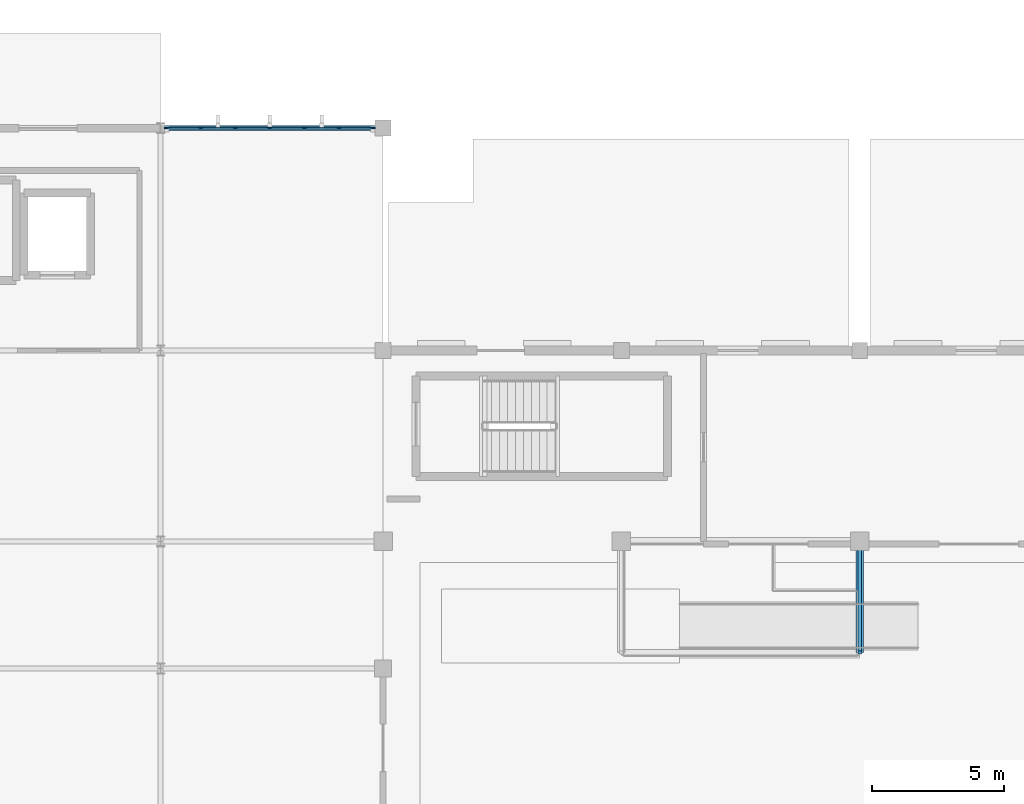
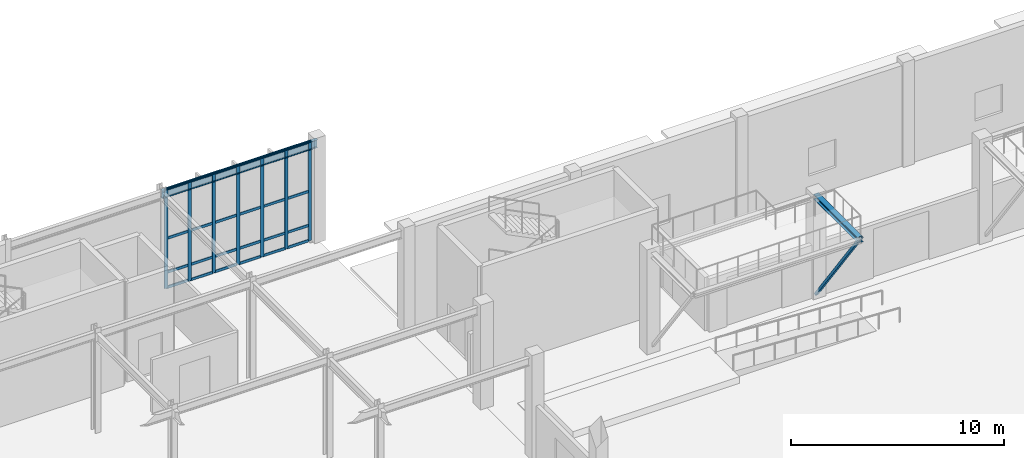
# One storey, part 47 of 110: 32 members, 2 beams, 1 element without a shape of its own.
"""IFC4 building model written with IfcOpenShell, lengths in metres."""

from ifc_helpers import new_model, si_unit, direction, frame, origin, origin_2d, place, context, subcontext, project, spatial, rectangle, hollow_rectangle, i_section, extrude, material, material_profile, profile_set, type_object, element, aggregate, save


model = new_model("IFC4")

# Units and contexts
model_context = context("Model", 3, precision=1e-05, world=origin(), true_north=direction((0.0, 1.0)))
body_context = subcontext(model_context, "Body", "Model", "MODEL_VIEW")
ifc_project = project(units=[si_unit("LENGTHUNIT", "METRE"), si_unit("AREAUNIT", "SQUARE_METRE"), si_unit("VOLUMEUNIT", "CUBIC_METRE"), si_unit("PLANEANGLEUNIT", "RADIAN"), si_unit("MASSUNIT", "GRAM", prefix="KILO")], contexts=[model_context])

# Site, building, storey
site_placement = place(None, origin())
site = spatial("IfcSite", under=ifc_project, at=site_placement, CompositionType="ELEMENT")
building_placement = place(site_placement, origin())
building = spatial("IfcBuilding", under=site, at=building_placement, Name="Tizgana Railside Sports Hall", CompositionType="ELEMENT")
storey_placement = place(building_placement, origin())
storey = spatial("IfcBuildingStorey", under=building, at=storey_placement, Name="L00", CompositionType="ELEMENT", Elevation=0.0)

# Curtain wall, members
ifc_material_1 = material(Name="Anodised aluminium and glass", Category="aluminium")
curtain_wall_type = type_object("IfcCurtainWallType", Name="Unitised Curtain Wall WestHall 1560", PredefinedType="NOTDEFINED", material=ifc_material_1)
curtain_wall_placement = place(storey_placement, origin())
curtain_wall = element("IfcCurtainWall", 1, at=curtain_wall_placement, inside=storey, type_object=curtain_wall_type, Name="L00 Curtain Wall CW-0038", PredefinedType="NOTDEFINED")
ifc_material_2 = material(Name="Anodised aluminium", Category="aluminium")
ifc_material_profile_1 = material_profile(ifc_material_2, rectangle(XDim=0.06005859375, YDim=0.179931640625, at=origin_2d()), Name="Mullion 60x180")
ifc_profile_set_1 = profile_set([ifc_material_profile_1], Name="Anodised aluminium")
member_type_1 = type_object("IfcMemberType", Name="Mullion 60x180", PredefinedType="MULLION", material=ifc_profile_set_1)
member_1_placement = place(storey_placement, frame((71.635009765625, 88.800048828125, 0.044921875), z_axis=(0.0, 0.0, 1.0), x_axis=(0.0, 1.0, 0.0)))
member_1 = element("IfcMember", 2, at=member_1_placement, type_object=member_type_1, Name="CW-07 mullion 1", PredefinedType="MULLION", context=body_context, shape_type="SweptSolid", body=[
    extrude(rectangle(XDim=0.06005859375, YDim=0.179931640625, at=origin_2d()), origin(), (0.0, 0.0, 1.0), 5.68505859375),
])
member_2_placement = place(storey_placement, frame((72.91162109375, 88.800048828125, 0.044921875), z_axis=(0.0, 0.0, 1.0), x_axis=(0.0, 1.0, 0.0)))
member_2 = element("IfcMember", 3, at=member_2_placement, type_object=member_type_1, Name="CW-07 mullion 2", PredefinedType="MULLION", context=body_context, shape_type="SweptSolid", body=[
    extrude(rectangle(XDim=0.06005859375, YDim=0.179931640625, at=origin_2d()), origin(), (0.0, 0.0, 1.0), 5.68505859375),
])
member_3_placement = place(storey_placement, frame((74.21826171875, 88.800048828125, 0.044921875), z_axis=(0.0, 0.0, 1.0), x_axis=(0.0, 1.0, 0.0)))
member_3 = element("IfcMember", 4, at=member_3_placement, type_object=member_type_1, Name="CW-07 mullion 3", PredefinedType="MULLION", context=body_context, shape_type="SweptSolid", body=[
    extrude(rectangle(XDim=0.06005859375, YDim=0.179931640625, at=origin_2d()), origin(), (0.0, 0.0, 1.0), 5.68505859375),
])
member_4_placement = place(storey_placement, frame((75.52490234375, 88.800048828125, 0.044921875), z_axis=(0.0, 0.0, 1.0), x_axis=(0.0, 1.0, 0.0)))
member_4 = element("IfcMember", 5, at=member_4_placement, type_object=member_type_1, Name="CW-07 mullion 4", PredefinedType="MULLION", context=body_context, shape_type="SweptSolid", body=[
    extrude(rectangle(XDim=0.06005859375, YDim=0.179931640625, at=origin_2d()), origin(), (0.0, 0.0, 1.0), 5.68505859375),
])
member_5_placement = place(storey_placement, frame((76.831787109375, 88.800048828125, 0.044921875), z_axis=(0.0, 0.0, 1.0), x_axis=(0.0, 1.0, 0.0)))
member_5 = element("IfcMember", 6, at=member_5_placement, type_object=member_type_1, Name="CW-07 mullion 5", PredefinedType="MULLION", context=body_context, shape_type="SweptSolid", body=[
    extrude(rectangle(XDim=0.06005859375, YDim=0.179931640625, at=origin_2d()), origin(), (0.0, 0.0, 1.0), 5.68505859375),
])
member_6_placement = place(storey_placement, frame((78.138427734375, 88.800048828125, 0.044921875), z_axis=(0.0, 0.0, 1.0), x_axis=(0.0, 1.0, 0.0)))
member_6 = element("IfcMember", 7, at=member_6_placement, type_object=member_type_1, Name="CW-07 mullion 6", PredefinedType="MULLION", context=body_context, shape_type="SweptSolid", body=[
    extrude(rectangle(XDim=0.06005859375, YDim=0.179931640625, at=origin_2d()), origin(), (0.0, 0.0, 1.0), 5.68505859375),
])
member_7_placement = place(storey_placement, frame((79.4150390625, 88.800048828125, 0.044921875), z_axis=(0.0, 0.0, 1.0), x_axis=(0.0, 1.0, 0.0)))
member_7 = element("IfcMember", 8, at=member_7_placement, type_object=member_type_1, Name="CW-07 mullion 7", PredefinedType="MULLION", context=body_context, shape_type="SweptSolid", body=[
    extrude(rectangle(XDim=0.06005859375, YDim=0.179931640625, at=origin_2d()), origin(), (0.0, 0.0, 1.0), 5.68505859375),
])

# Beams
ifc_material_3 = material(Name="Steel S355J2", Category="steel")
ifc_material_profile_2 = material_profile(ifc_material_3, i_section(OverallWidth=0.280029296875, OverallDepth=0.280029296875, WebThickness=0.010498046875, FlangeThickness=0.01806640625, FilletRadius=0.02392578125, at=origin_2d()), Name="HEB 280")
ifc_profile_set_2 = profile_set([ifc_material_profile_2], Name="Steel S355J2")
beam_type_1 = type_object("IfcBeamType", Name="Steel Beam HEB 280", PredefinedType="BEAM", material=ifc_profile_set_2)
beam_1_placement = place(storey_placement, frame((97.800048828125, 73.199951171875, 5.6259765625), z_axis=(0.0, -1.0, 0.0), x_axis=(1.0, 0.0, 0.0)))
element("IfcBeam", 9, at=beam_1_placement, inside=storey, type_object=beam_type_1, Name="L00 BEM-1272", PredefinedType="BEAM", context=body_context, shape_type="SweptSolid", body=[
    extrude(i_section(OverallWidth=0.280029296875, OverallDepth=0.280029296875, WebThickness=0.010498046875, FlangeThickness=0.01806640625, FilletRadius=0.02392578125, at=origin_2d()), origin(), (0.0, 0.0, 1.0), 4.199951171875),
])
ifc_material_profile_3 = material_profile(ifc_material_3, i_section(OverallWidth=0.18994140625, OverallDepth=0.449951171875, WebThickness=0.009521484375, FlangeThickness=0.0146484375, FilletRadius=0.02099609375, at=origin_2d()), Name="IPE 450")
ifc_profile_set_3 = profile_set([ifc_material_profile_3], Name="Steel S355J2")
beam_type_2 = type_object("IfcBeamType", Name="Steel Beam IPE 450", PredefinedType="BEAM", material=ifc_profile_set_3)
beam_2_placement = place(storey_placement, frame((71.39990234375, 88.800048828125, 5.5009765625), z_axis=(1.0, 0.0, 0.0), x_axis=(0.0, 1.0, 0.0)))
element("IfcBeam", 10, at=beam_2_placement, inside=storey, type_object=beam_type_2, Name="L00 BEM-0951", PredefinedType="BEAM", context=body_context, shape_type="SweptSolid", body=[
    extrude(i_section(OverallWidth=0.18994140625, OverallDepth=0.449951171875, WebThickness=0.009521484375, FlangeThickness=0.0146484375, FilletRadius=0.02099609375, at=origin_2d()), origin(), (0.0, 0.0, 1.0), 8.400146484375),
])

# Member
ifc_material_profile_4 = material_profile(ifc_material_3, hollow_rectangle(XDim=0.139892578125, YDim=0.139892578125, WallThickness=0.008056640625, at=origin_2d()), Name="SHS 140x140x8")
ifc_profile_set_4 = profile_set([ifc_material_profile_4], Name="Steel S355J2")
member_type_2 = type_object("IfcMemberType", Name="Steel Brace SHS 140x140x8", PredefinedType="BRACE", material=ifc_profile_set_4)
member_8_placement = place(storey_placement, frame((97.800048828125, 73.199951171875, 0.0), z_axis=(0.0, -0.588499132235, 0.808497848704), x_axis=(1.0, 0.0, 0.0)))
element("IfcMember", 11, at=member_8_placement, inside=storey, type_object=member_type_2, Name="L00 Catwalk Raker", PredefinedType="BRACE", context=body_context, shape_type="SweptSolid", body=[
    extrude(hollow_rectangle(XDim=0.139892578125, YDim=0.139892578125, WallThickness=0.008056640625, at=origin_2d()), origin(), (0.0, 0.0, 1.0), 7.13671875),
])

ifc_material_profile_5 = material_profile(ifc_material_2, rectangle(XDim=0.06005859375, YDim=0.14990234375, at=origin_2d()), Name="Transom 60x150")
ifc_profile_set_5 = profile_set([ifc_material_profile_5], Name="Anodised aluminium")
member_type_3 = type_object("IfcMemberType", Name="Transom 60x150", PredefinedType="USERDEFINED", material=ifc_profile_set_5)
member_9_placement = place(storey_placement, frame((71.6650390625, 88.800048828125, 0.074951171875), z_axis=(1.0, 0.0, 0.0), x_axis=(0.0, 1.0, 0.0)))
member_9 = element("IfcMember", 12, at=member_9_placement, type_object=member_type_3, Name="CW-07 transom 1.1", ObjectType="TRANSOM", PredefinedType="USERDEFINED", context=body_context, shape_type="SweptSolid", body=[
    extrude(rectangle(XDim=0.06005859375, YDim=0.14990234375, at=origin_2d()), origin(), (0.0, 0.0, 1.0), 1.216552734375),
])

member_10_placement = place(storey_placement, frame((71.6650390625, 88.800048828125, 0.945068359375), z_axis=(1.0, 0.0, 0.0), x_axis=(0.0, 1.0, 0.0)))
member_10 = element("IfcMember", 13, at=member_10_placement, type_object=member_type_3, Name="CW-07 transom 1.2", ObjectType="TRANSOM", PredefinedType="USERDEFINED", context=body_context, shape_type="SweptSolid", body=[
    extrude(rectangle(XDim=0.06005859375, YDim=0.14990234375, at=origin_2d()), origin(), (0.0, 0.0, 1.0), 1.216552734375),
])

member_11_placement = place(storey_placement, frame((71.6650390625, 88.800048828125, 2.887451171875), z_axis=(1.0, 0.0, 0.0), x_axis=(0.0, 1.0, 0.0)))
member_11 = element("IfcMember", 14, at=member_11_placement, type_object=member_type_3, Name="CW-07 transom 1.3", ObjectType="TRANSOM", PredefinedType="USERDEFINED", context=body_context, shape_type="SweptSolid", body=[
    extrude(rectangle(XDim=0.06005859375, YDim=0.14990234375, at=origin_2d()), origin(), (0.0, 0.0, 1.0), 1.216552734375),
])

member_12_placement = place(storey_placement, frame((71.6650390625, 88.800048828125, 5.699951171875), z_axis=(1.0, 0.0, 0.0), x_axis=(0.0, 1.0, 0.0)))
member_12 = element("IfcMember", 15, at=member_12_placement, type_object=member_type_3, Name="CW-07 transom 1.4", ObjectType="TRANSOM", PredefinedType="USERDEFINED", context=body_context, shape_type="SweptSolid", body=[
    extrude(rectangle(XDim=0.06005859375, YDim=0.14990234375, at=origin_2d()), origin(), (0.0, 0.0, 1.0), 1.216552734375),
])

member_13_placement = place(storey_placement, frame((72.941650390625, 88.800048828125, 0.074951171875), z_axis=(1.0, 0.0, 0.0), x_axis=(0.0, 1.0, 0.0)))
member_13 = element("IfcMember", 16, at=member_13_placement, type_object=member_type_3, Name="CW-07 transom 2.1", ObjectType="TRANSOM", PredefinedType="USERDEFINED", context=body_context, shape_type="SweptSolid", body=[
    extrude(rectangle(XDim=0.06005859375, YDim=0.14990234375, at=origin_2d()), origin(), (0.0, 0.0, 1.0), 1.24658203125),
])

member_14_placement = place(storey_placement, frame((72.941650390625, 88.800048828125, 0.945068359375), z_axis=(1.0, 0.0, 0.0), x_axis=(0.0, 1.0, 0.0)))
member_14 = element("IfcMember", 17, at=member_14_placement, type_object=member_type_3, Name="CW-07 transom 2.2", ObjectType="TRANSOM", PredefinedType="USERDEFINED", context=body_context, shape_type="SweptSolid", body=[
    extrude(rectangle(XDim=0.06005859375, YDim=0.14990234375, at=origin_2d()), origin(), (0.0, 0.0, 1.0), 1.24658203125),
])

member_15_placement = place(storey_placement, frame((72.941650390625, 88.800048828125, 2.887451171875), z_axis=(1.0, 0.0, 0.0), x_axis=(0.0, 1.0, 0.0)))
member_15 = element("IfcMember", 18, at=member_15_placement, type_object=member_type_3, Name="CW-07 transom 2.3", ObjectType="TRANSOM", PredefinedType="USERDEFINED", context=body_context, shape_type="SweptSolid", body=[
    extrude(rectangle(XDim=0.06005859375, YDim=0.14990234375, at=origin_2d()), origin(), (0.0, 0.0, 1.0), 1.24658203125),
])

member_16_placement = place(storey_placement, frame((72.941650390625, 88.800048828125, 5.699951171875), z_axis=(1.0, 0.0, 0.0), x_axis=(0.0, 1.0, 0.0)))
member_16 = element("IfcMember", 19, at=member_16_placement, type_object=member_type_3, Name="CW-07 transom 2.4", ObjectType="TRANSOM", PredefinedType="USERDEFINED", context=body_context, shape_type="SweptSolid", body=[
    extrude(rectangle(XDim=0.06005859375, YDim=0.14990234375, at=origin_2d()), origin(), (0.0, 0.0, 1.0), 1.24658203125),
])

member_17_placement = place(storey_placement, frame((74.248291015625, 88.800048828125, 0.074951171875), z_axis=(1.0, 0.0, 0.0), x_axis=(0.0, 1.0, 0.0)))
member_17 = element("IfcMember", 20, at=member_17_placement, type_object=member_type_3, Name="CW-07 transom 3.1", ObjectType="TRANSOM", PredefinedType="USERDEFINED", context=body_context, shape_type="SweptSolid", body=[
    extrude(rectangle(XDim=0.06005859375, YDim=0.14990234375, at=origin_2d()), origin(), (0.0, 0.0, 1.0), 1.246826171875),
])

member_18_placement = place(storey_placement, frame((74.248291015625, 88.800048828125, 0.945068359375), z_axis=(1.0, 0.0, 0.0), x_axis=(0.0, 1.0, 0.0)))
member_18 = element("IfcMember", 21, at=member_18_placement, type_object=member_type_3, Name="CW-07 transom 3.2", ObjectType="TRANSOM", PredefinedType="USERDEFINED", context=body_context, shape_type="SweptSolid", body=[
    extrude(rectangle(XDim=0.06005859375, YDim=0.14990234375, at=origin_2d()), origin(), (0.0, 0.0, 1.0), 1.246826171875),
])

member_19_placement = place(storey_placement, frame((74.248291015625, 88.800048828125, 2.887451171875), z_axis=(1.0, 0.0, 0.0), x_axis=(0.0, 1.0, 0.0)))
member_19 = element("IfcMember", 22, at=member_19_placement, type_object=member_type_3, Name="CW-07 transom 3.3", ObjectType="TRANSOM", PredefinedType="USERDEFINED", context=body_context, shape_type="SweptSolid", body=[
    extrude(rectangle(XDim=0.06005859375, YDim=0.14990234375, at=origin_2d()), origin(), (0.0, 0.0, 1.0), 1.246826171875),
])

member_20_placement = place(storey_placement, frame((74.248291015625, 88.800048828125, 5.699951171875), z_axis=(1.0, 0.0, 0.0), x_axis=(0.0, 1.0, 0.0)))
member_20 = element("IfcMember", 23, at=member_20_placement, type_object=member_type_3, Name="CW-07 transom 3.4", ObjectType="TRANSOM", PredefinedType="USERDEFINED", context=body_context, shape_type="SweptSolid", body=[
    extrude(rectangle(XDim=0.06005859375, YDim=0.14990234375, at=origin_2d()), origin(), (0.0, 0.0, 1.0), 1.246826171875),
])

member_21_placement = place(storey_placement, frame((75.554931640625, 88.800048828125, 0.074951171875), z_axis=(1.0, 0.0, 0.0), x_axis=(0.0, 1.0, 0.0)))
member_21 = element("IfcMember", 24, at=member_21_placement, type_object=member_type_3, Name="CW-07 transom 4.1", ObjectType="TRANSOM", PredefinedType="USERDEFINED", context=body_context, shape_type="SweptSolid", body=[
    extrude(rectangle(XDim=0.06005859375, YDim=0.14990234375, at=origin_2d()), origin(), (0.0, 0.0, 1.0), 1.246826171875),
])

member_22_placement = place(storey_placement, frame((75.554931640625, 88.800048828125, 0.945068359375), z_axis=(1.0, 0.0, 0.0), x_axis=(0.0, 1.0, 0.0)))
member_22 = element("IfcMember", 25, at=member_22_placement, type_object=member_type_3, Name="CW-07 transom 4.2", ObjectType="TRANSOM", PredefinedType="USERDEFINED", context=body_context, shape_type="SweptSolid", body=[
    extrude(rectangle(XDim=0.06005859375, YDim=0.14990234375, at=origin_2d()), origin(), (0.0, 0.0, 1.0), 1.246826171875),
])

member_23_placement = place(storey_placement, frame((75.554931640625, 88.800048828125, 2.887451171875), z_axis=(1.0, 0.0, 0.0), x_axis=(0.0, 1.0, 0.0)))
member_23 = element("IfcMember", 26, at=member_23_placement, type_object=member_type_3, Name="CW-07 transom 4.3", ObjectType="TRANSOM", PredefinedType="USERDEFINED", context=body_context, shape_type="SweptSolid", body=[
    extrude(rectangle(XDim=0.06005859375, YDim=0.14990234375, at=origin_2d()), origin(), (0.0, 0.0, 1.0), 1.246826171875),
])

member_24_placement = place(storey_placement, frame((75.554931640625, 88.800048828125, 5.699951171875), z_axis=(1.0, 0.0, 0.0), x_axis=(0.0, 1.0, 0.0)))
member_24 = element("IfcMember", 27, at=member_24_placement, type_object=member_type_3, Name="CW-07 transom 4.4", ObjectType="TRANSOM", PredefinedType="USERDEFINED", context=body_context, shape_type="SweptSolid", body=[
    extrude(rectangle(XDim=0.06005859375, YDim=0.14990234375, at=origin_2d()), origin(), (0.0, 0.0, 1.0), 1.246826171875),
])

member_25_placement = place(storey_placement, frame((76.861572265625, 88.800048828125, 0.074951171875), z_axis=(1.0, 0.0, 0.0), x_axis=(0.0, 1.0, 0.0)))
member_25 = element("IfcMember", 28, at=member_25_placement, type_object=member_type_3, Name="CW-07 transom 5.1", ObjectType="TRANSOM", PredefinedType="USERDEFINED", context=body_context, shape_type="SweptSolid", body=[
    extrude(rectangle(XDim=0.06005859375, YDim=0.14990234375, at=origin_2d()), origin(), (0.0, 0.0, 1.0), 1.246826171875),
])

member_26_placement = place(storey_placement, frame((76.861572265625, 88.800048828125, 0.945068359375), z_axis=(1.0, 0.0, 0.0), x_axis=(0.0, 1.0, 0.0)))
member_26 = element("IfcMember", 29, at=member_26_placement, type_object=member_type_3, Name="CW-07 transom 5.2", ObjectType="TRANSOM", PredefinedType="USERDEFINED", context=body_context, shape_type="SweptSolid", body=[
    extrude(rectangle(XDim=0.06005859375, YDim=0.14990234375, at=origin_2d()), origin(), (0.0, 0.0, 1.0), 1.246826171875),
])

member_27_placement = place(storey_placement, frame((76.861572265625, 88.800048828125, 2.887451171875), z_axis=(1.0, 0.0, 0.0), x_axis=(0.0, 1.0, 0.0)))
member_27 = element("IfcMember", 30, at=member_27_placement, type_object=member_type_3, Name="CW-07 transom 5.3", ObjectType="TRANSOM", PredefinedType="USERDEFINED", context=body_context, shape_type="SweptSolid", body=[
    extrude(rectangle(XDim=0.06005859375, YDim=0.14990234375, at=origin_2d()), origin(), (0.0, 0.0, 1.0), 1.246826171875),
])

member_28_placement = place(storey_placement, frame((76.861572265625, 88.800048828125, 5.699951171875), z_axis=(1.0, 0.0, 0.0), x_axis=(0.0, 1.0, 0.0)))
member_28 = element("IfcMember", 31, at=member_28_placement, type_object=member_type_3, Name="CW-07 transom 5.4", ObjectType="TRANSOM", PredefinedType="USERDEFINED", context=body_context, shape_type="SweptSolid", body=[
    extrude(rectangle(XDim=0.06005859375, YDim=0.14990234375, at=origin_2d()), origin(), (0.0, 0.0, 1.0), 1.246826171875),
])

member_29_placement = place(storey_placement, frame((78.168212890625, 88.800048828125, 0.074951171875), z_axis=(1.0, 0.0, 0.0), x_axis=(0.0, 1.0, 0.0)))
member_29 = element("IfcMember", 32, at=member_29_placement, type_object=member_type_3, Name="CW-07 transom 6.1", ObjectType="TRANSOM", PredefinedType="USERDEFINED", context=body_context, shape_type="SweptSolid", body=[
    extrude(rectangle(XDim=0.06005859375, YDim=0.14990234375, at=origin_2d()), origin(), (0.0, 0.0, 1.0), 1.216796875),
])

member_30_placement = place(storey_placement, frame((78.168212890625, 88.800048828125, 0.945068359375), z_axis=(1.0, 0.0, 0.0), x_axis=(0.0, 1.0, 0.0)))
member_30 = element("IfcMember", 33, at=member_30_placement, type_object=member_type_3, Name="CW-07 transom 6.2", ObjectType="TRANSOM", PredefinedType="USERDEFINED", context=body_context, shape_type="SweptSolid", body=[
    extrude(rectangle(XDim=0.06005859375, YDim=0.14990234375, at=origin_2d()), origin(), (0.0, 0.0, 1.0), 1.216796875),
])

member_31_placement = place(storey_placement, frame((78.168212890625, 88.800048828125, 2.887451171875), z_axis=(1.0, 0.0, 0.0), x_axis=(0.0, 1.0, 0.0)))
member_31 = element("IfcMember", 34, at=member_31_placement, type_object=member_type_3, Name="CW-07 transom 6.3", ObjectType="TRANSOM", PredefinedType="USERDEFINED", context=body_context, shape_type="SweptSolid", body=[
    extrude(rectangle(XDim=0.06005859375, YDim=0.14990234375, at=origin_2d()), origin(), (0.0, 0.0, 1.0), 1.216796875),
])

member_32_placement = place(storey_placement, frame((78.168212890625, 88.800048828125, 5.699951171875), z_axis=(1.0, 0.0, 0.0), x_axis=(0.0, 1.0, 0.0)))
member_32 = element("IfcMember", 35, at=member_32_placement, type_object=member_type_3, Name="CW-07 transom 6.4", ObjectType="TRANSOM", PredefinedType="USERDEFINED", context=body_context, shape_type="SweptSolid", body=[
    extrude(rectangle(XDim=0.06005859375, YDim=0.14990234375, at=origin_2d()), origin(), (0.0, 0.0, 1.0), 1.216796875),
])

aggregate(curtain_wall, [member_1, member_2, member_3, member_4, member_5, member_6, member_7, member_9, member_10, member_11, member_12, member_13, member_14, member_15, member_16, member_17, member_18, member_19, member_20, member_21, member_22, member_23, member_24, member_25, member_26, member_27, member_28, member_29, member_30, member_31, member_32])

save(model, "model.ifc")
